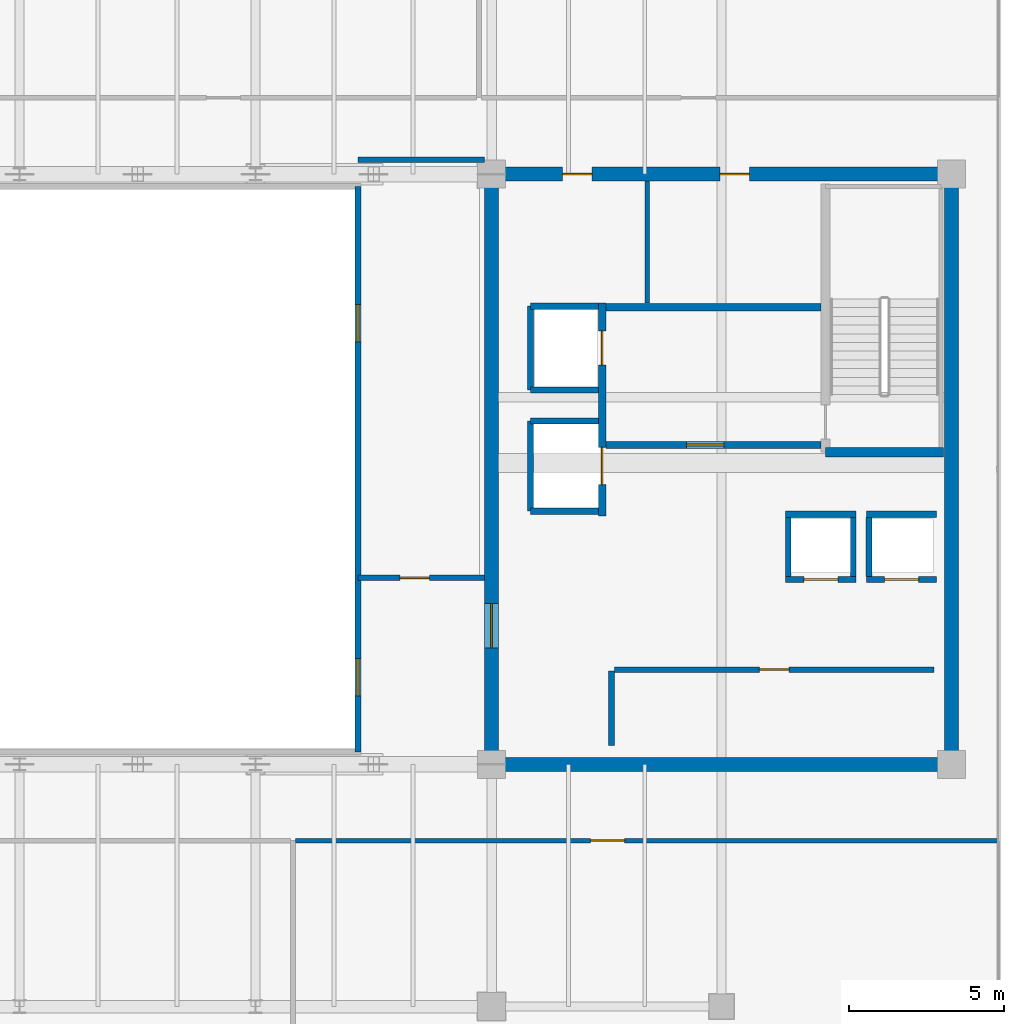
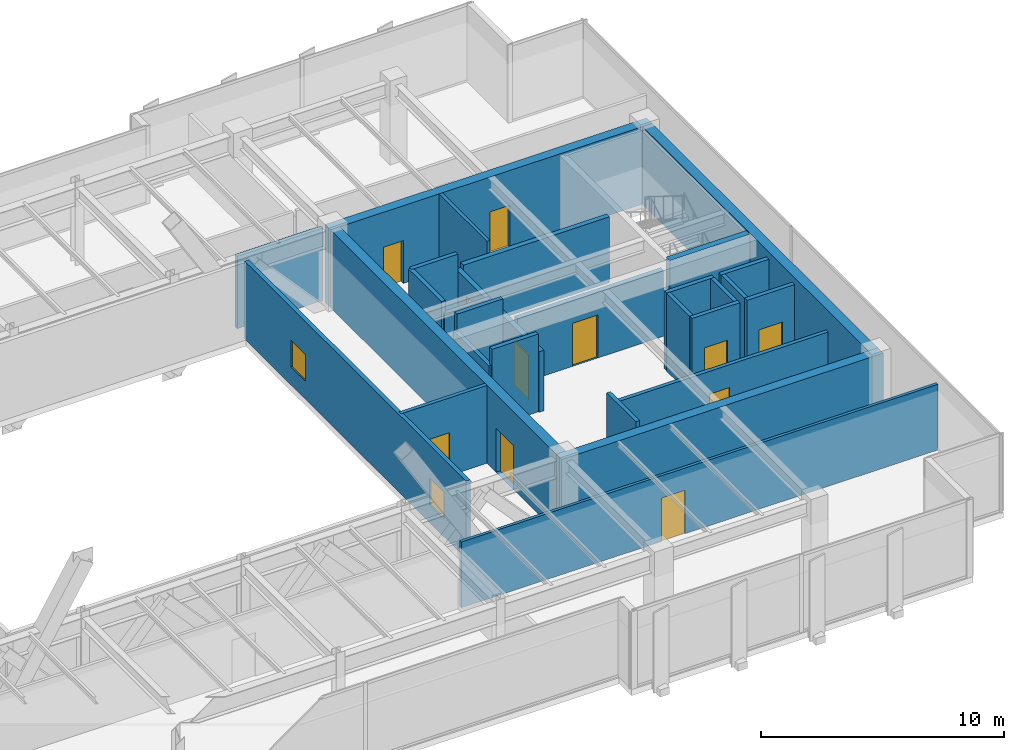
# One storey, part 27 of 32: 28 walls, 11 doors, 2 windows, 13 openings.
"""IFC4 building model written with IfcOpenShell, lengths in metres."""

from ifc_helpers import new_model, si_unit, direction, frame, frame_2d, origin, place, context, subcontext, project, spatial, rectangle, extrude, source, transform, mapped, material, layer, layer_set, type_object, type_shapes, element, fill, save


model = new_model("IFC4")

# Units and contexts
model_context = context("Model", 3, precision=1e-05, world=origin(), true_north=direction((0.0, 1.0)))
body_context = subcontext(model_context, "Body", "Model", "MODEL_VIEW")
ifc_project = project(units=[si_unit("LENGTHUNIT", "METRE"), si_unit("AREAUNIT", "SQUARE_METRE"), si_unit("VOLUMEUNIT", "CUBIC_METRE"), si_unit("PLANEANGLEUNIT", "RADIAN"), si_unit("MASSUNIT", "GRAM", prefix="KILO")], contexts=[model_context])

# Site, building, storey
site_placement = place(None, origin())
site = spatial("IfcSite", under=ifc_project, at=site_placement, CompositionType="ELEMENT")
building_placement = place(site_placement, origin())
building = spatial("IfcBuilding", under=site, at=building_placement, Name="Haelvirn Gate Laboratories", CompositionType="ELEMENT")
storey_placement = place(building_placement, frame((0.0, 0.0, 306.0)))
storey = spatial("IfcBuildingStorey", under=building, at=storey_placement, Name="L73", CompositionType="ELEMENT", Elevation=306.0)

# Wall
ifc_material_1 = material(Name="Fire-rated acoustic gypsum board partition", Category="gypsum")
ifc_layer_1 = layer(ifc_material_1, 0.175048828125, Name="IW-ACOUST-180")
ifc_layer_set_1 = layer_set([ifc_layer_1], Name="Fire-rated acoustic gypsum board partition")
wall_type_1 = type_object("IfcWallType", Name="IW-ACOUST-180", PredefinedType="PARTITIONING", material=ifc_layer_set_1)
wall_1_placement = place(storey_placement, frame((48.300048828125, 34.260009765625, 0.0), z_axis=(0.0, 0.0, 1.0), x_axis=(1.0, 0.0, 0.0)))
element("IfcWall", 1, at=wall_1_placement, inside=storey, type_object=wall_type_1, Name="L73 Interior Wall IW-L73-EPOD-N", PredefinedType="PARTITIONING", context=body_context, shape_type="SweptSolid", body=[
    extrude(rectangle(XDim=4.074951171875, YDim=0.175048828125, at=frame_2d((2.03759765625, 0.0))), origin(), (0.0, 0.0, 1.0), 3.635009765625),
])

# Wall, opening, door
wall_2_placement = place(storey_placement, frame((48.300048828125, 20.800048828125, 0.0), z_axis=(0.0, 0.0, 1.0), x_axis=(1.0, 0.0, 0.0)))
wall_2 = element("IfcWall", 2, at=wall_2_placement, inside=storey, type_object=wall_type_1, Name="L73 Interior Wall IW-L73-EPOD-S", PredefinedType="PARTITIONING", context=body_context, shape_type="SweptSolid", body=[
    extrude(rectangle(XDim=4.074951171875, YDim=0.175048828125, at=frame_2d((2.03759765625, 0.0))), origin(), (0.0, 0.0, 1.0), 3.89990234375),
])
opening_1_placement = place(wall_2_placement, frame((1.35009765625, 0.0, 0.0)))
opening_1 = element("IfcOpeningElement", 3, at=opening_1_placement, cuts=wall_2, Name="Opening FD4", PredefinedType="OPENING", context=body_context, shape_type="SweptSolid", body=[
    extrude(rectangle(XDim=0.949951171875, YDim=2.14990234375, at=frame_2d((0.47509765625, 1.074951171875))), frame((0.0, 0.09765625, 0.0), z_axis=(0.0, -1.0, 0.0), x_axis=(1.0, 0.0, 0.0)), (0.0, 0.0, 1.0), 0.195068359375),
])
ifc_material_2 = material(Name="Fire-rated steel SM355 core service door", Category="steel")
door_type_1 = type_object("IfcDoorType", Name="DR-FD-950", OperationType="NOTDEFINED", PredefinedType="DOOR", material=ifc_material_2)
shared_shape_1 = source(origin(), body_context, "Body", "SweptSolid", [
    extrude(rectangle(XDim=0.949951171875, YDim=2.14990234375, at=frame_2d((0.47509765625, 1.074951171875))), frame((0.0, 0.02490234375, 0.0), z_axis=(0.0, -1.0, 0.0), x_axis=(1.0, 0.0, 0.0)), (0.0, 0.0, 1.0), 0.050048828125),
])
type_shapes(door_type_1, [shared_shape_1])
door_1_placement = place(opening_1_placement, origin())
door_1 = element("IfcDoor", 4, at=door_1_placement, inside=storey, type_object=door_type_1, Name="L73 High-Zone Collaboration Suite Door", OperationType="SINGLE_SWING_LEFT", OverallHeight=2.14990234375, OverallWidth=0.949951171875, PredefinedType="DOOR", context=body_context, shape_type="MappedRepresentation", body=[
    mapped(shared_shape_1, transform((0.0, 0.0, 0.0), scale=1.0)),
])
fill(opening_1, door_1)

# Wall, openings, windows
ifc_material_3 = material(Name="Tempered fire-rated borosilicate glass & anodised aluminium", Category="aluminium")
ifc_layer_2 = layer(ifc_material_3, 0.195068359375, Name="IW-GLAZ-200")
ifc_layer_set_2 = layer_set([ifc_layer_2], Name="Tempered fire-rated borosilicate glass & anodised aluminium")
wall_type_2 = type_object("IfcWallType", Name="IW-GLAZ-200", PredefinedType="SOLIDWALL", material=ifc_layer_set_2)
wall_3_placement = place(storey_placement, frame((48.300048828125, 15.199951171875, 0.0), z_axis=(0.0, 0.0, 1.0), x_axis=(0.0, 1.0, 0.0)))
wall_3 = element("IfcWall", 5, at=wall_3_placement, inside=storey, type_object=wall_type_2, Name="L73 Interior Wall IW-L73-ATRIUM-E", PredefinedType="SOLIDWALL", context=body_context, shape_type="SweptSolid", body=[
    extrude(rectangle(XDim=18.199951171875, YDim=0.195068359375, at=frame_2d((9.10009765625, 0.0))), origin(), (0.0, 0.0, 1.0), 3.89990234375),
])
opening_2_placement = place(wall_3_placement, frame((1.800048828125, 0.0, 0.89990234375)))
opening_2 = element("IfcOpeningElement", 6, at=opening_2_placement, cuts=wall_3, Name="Opening W6", PredefinedType="OPENING", context=body_context, shape_type="SweptSolid", body=[
    extrude(rectangle(XDim=1.199951171875, YDim=1.35009765625, at=frame_2d((0.60009765625, 0.675048828125))), frame((0.0, 0.107421875, 0.0), z_axis=(0.0, -1.0, 0.0), x_axis=(1.0, 0.0, 0.0)), (0.0, 0.0, 1.0), 0.215087890625),
])
opening_3_placement = place(wall_3_placement, frame((13.199951171875, 0.0, 0.89990234375)))
opening_3 = element("IfcOpeningElement", 7, at=opening_3_placement, cuts=wall_3, Name="Opening W6", PredefinedType="OPENING", context=body_context, shape_type="SweptSolid", body=[
    extrude(rectangle(XDim=1.199951171875, YDim=1.35009765625, at=frame_2d((0.60009765625, 0.675048828125))), frame((0.0, 0.107421875, 0.0), z_axis=(0.0, -1.0, 0.0), x_axis=(1.0, 0.0, 0.0)), (0.0, 0.0, 1.0), 0.215087890625),
])
ifc_material_4 = material(Name="Fire-rated EI 120 borosilicate atrium vision glazing", Category="glass")
window_type = type_object("IfcWindowType", Name="WN-ATR-1200", PartitioningType="SINGLE_PANEL", PredefinedType="WINDOW", material=ifc_material_4)
shared_shape_2 = source(origin(), body_context, "Body", "SweptSolid", [
    extrude(rectangle(XDim=1.199951171875, YDim=1.35009765625, at=frame_2d((0.60009765625, 0.675048828125))), frame((0.0, 0.030029296875, 0.0), z_axis=(0.0, -1.0, 0.0), x_axis=(1.0, 0.0, 0.0)), (0.0, 0.0, 1.0), 0.06005859375),
])
type_shapes(window_type, [shared_shape_2])
window_1_placement = place(opening_2_placement, origin())
window_1 = element("IfcWindow", 8, at=window_1_placement, inside=storey, type_object=window_type, Name="L73 Atrium Observation Window 1", OverallHeight=1.35009765625, OverallWidth=1.199951171875, PartitioningType="SINGLE_PANEL", PredefinedType="WINDOW", context=body_context, shape_type="MappedRepresentation", body=[
    mapped(shared_shape_2, transform((0.0, 0.0, 0.0), scale=1.0)),
])
fill(opening_2, window_1)
window_2_placement = place(opening_3_placement, origin())
window_2 = element("IfcWindow", 9, at=window_2_placement, inside=storey, type_object=window_type, Name="L73 Atrium Observation Window 2", OverallHeight=1.35009765625, OverallWidth=1.199951171875, PartitioningType="SINGLE_PANEL", PredefinedType="WINDOW", context=body_context, shape_type="MappedRepresentation", body=[
    mapped(shared_shape_2, transform((0.0, 0.0, 0.0), scale=1.0)),
])
fill(opening_3, window_2)

# Wall, opening, door
ifc_material_5 = material(Name="Acoustic mineral-wool gypsum board partition", Category="gypsum")
ifc_layer_3 = layer(ifc_material_5, 0.139892578125, Name="IW-PART-140")
ifc_layer_set_3 = layer_set([ifc_layer_3], Name="Acoustic mineral-wool gypsum board partition")
wall_type_3 = type_object("IfcWallType", Name="IW-PART-140", PredefinedType="PARTITIONING", material=ifc_layer_set_3)
wall_4_placement = place(storey_placement, frame((46.280029296875, 12.340087890625, 0.0), z_axis=(0.0, 0.0, 1.0), x_axis=(1.0, 0.0, 0.0)))
wall_4 = element("IfcWall", 10, at=wall_4_placement, inside=storey, type_object=wall_type_3, Name="L73 Interior Wall IW-L73-SCORR-03", PredefinedType="PARTITIONING", context=body_context, shape_type="SweptSolid", body=[
    extrude(rectangle(XDim=22.60986328125, YDim=0.139892578125, at=frame_2d((11.304931640625, 0.0))), origin(), (0.0, 0.0, 1.0), 3.297119140625),
])
opening_4_placement = place(wall_4_placement, frame((9.50634765625, 0.0, 0.0)))
opening_4 = element("IfcOpeningElement", 11, at=opening_4_placement, cuts=wall_4, Name="Opening D1", PredefinedType="OPENING", context=body_context, shape_type="SweptSolid", body=[
    extrude(rectangle(XDim=1.10009765625, YDim=2.179931640625, at=frame_2d((0.550048828125, 1.08984375))), frame((0.0, 0.080078125, 0.0), z_axis=(0.0, -1.0, 0.0), x_axis=(1.0, 0.0, 0.0)), (0.0, 0.0, 1.0), 0.159912109375),
])
ifc_material_6 = material(Name="Vision-panel acoustic solid-core timber lab door", Category="wood")
door_type_2 = type_object("IfcDoorType", Name="DR-LAB-1100", OperationType="NOTDEFINED", PredefinedType="DOOR", material=ifc_material_6)
shared_shape_3 = source(origin(), body_context, "Body", "SweptSolid", [
    extrude(rectangle(XDim=1.10009765625, YDim=2.179931640625, at=frame_2d((0.550048828125, 1.08984375))), frame((0.0, 0.02490234375, 0.0), z_axis=(0.0, -1.0, 0.0), x_axis=(1.0, 0.0, 0.0)), (0.0, 0.0, 1.0), 0.050048828125),
])
type_shapes(door_type_2, [shared_shape_3])
door_2_placement = place(opening_4_placement, origin())
door_2 = element("IfcDoor", 12, at=door_2_placement, inside=storey, type_object=door_type_2, Name="L73 Protocol Briefing Training Room Door S3", OperationType="SINGLE_SWING_RIGHT", OverallHeight=2.179931640625, OverallWidth=1.10009765625, PredefinedType="DOOR", context=body_context, shape_type="MappedRepresentation", body=[
    mapped(shared_shape_3, transform((0.0, 0.0, 0.0), scale=1.0)),
])
fill(opening_4, door_2)

# Walls
ifc_material_7 = material(Name="Cement-board restroom plumbing chase wall", Category="gypsum")
ifc_layer_4 = layer(ifc_material_7, 0.155029296875, Name="IW-PLUMB-160")
ifc_layer_set_4 = layer_set([ifc_layer_4], Name="Cement-board restroom plumbing chase wall")
wall_type_4 = type_object("IfcWallType", Name="IW-PLUMB-160", PredefinedType="PLUMBINGWALL", material=ifc_layer_set_4)
wall_5_placement = place(storey_placement, frame((57.610107421875, 29.64990234375, 0.0), z_axis=(0.0, 0.0, 1.0), x_axis=(0.0, 1.0, 0.0)))
element("IfcWall", 13, at=wall_5_placement, inside=storey, type_object=wall_type_4, Name="L73 Interior Wall IW-L73-E-CDIV-1", PredefinedType="PLUMBINGWALL", context=body_context, shape_type="SweptSolid", body=[
    extrude(rectangle(XDim=3.93017578125, YDim=0.155029296875, at=frame_2d((1.965087890625, 0.0))), origin(), (0.0, 0.0, 1.0), 3.89990234375),
])
ifc_material_8 = material(Name="Concrete C40/50", Category="concrete")
ifc_layer_5 = layer(ifc_material_8, 0.179931640625, Name="IW-SHAFT-180")
ifc_layer_set_5 = layer_set([ifc_layer_5], Name="Concrete C40/50")
wall_type_5 = type_object("IfcWallType", Name="IW-SHAFT-180", PredefinedType="SOLIDWALL", material=ifc_layer_set_5)
for number, where, z_axis, x_axis, name in (
    (14, (64.75, 20.85009765625, 0.0), (0.0, 0.0, 1.0), (0.0, 1.0, 0.0), "L73 Interior Wall IW-L73-PL11-SD"),
    (15, (62.14990234375, 20.85009765625, 0.0), (0.0, 0.0, 1.0), (0.0, 1.0, 0.0), "L73 Interior Wall IW-L73-PL12-SD"),
    (16, (64.25, 20.85009765625, 0.0), (0.0, 0.0, 1.0), (0.0, 1.0, 0.0), "L73 Interior Wall IW-L73-PL12-SDE"),
):
    element("IfcWall", number, at=place(storey_placement, frame(where, z_axis=z_axis, x_axis=x_axis)), inside=storey, type_object=wall_type_5, Name=name, PredefinedType="SOLIDWALL", context=body_context, shape_type="SweptSolid", body=[
        extrude(rectangle(XDim=1.89990234375, YDim=0.179931640625, at=frame_2d((0.949951171875, 0.0))), origin(), (0.0, 0.0, 1.0), 3.89990234375),
    ])

# Wall, opening, door
wall_6_placement = place(storey_placement, frame((56.550048828125, 17.85009765625, 0.0), z_axis=(0.0, 0.0, 1.0), x_axis=(1.0, 0.0, 0.0)))
wall_6 = element("IfcWall", 17, at=wall_6_placement, inside=storey, type_object=wall_type_5, Name="L73 Interior Wall IW-L73-E-FREED-HN-1", PredefinedType="SOLIDWALL", context=body_context, shape_type="SweptSolid", body=[
    extrude(rectangle(XDim=10.300048828125, YDim=0.179931640625, at=frame_2d((5.14990234375, 0.0))), origin(), (0.0, 0.0, 1.0), 3.297119140625),
])
opening_5_placement = place(wall_6_placement, frame((4.675048828125, 0.0, 0.0)))
opening_5 = element("IfcOpeningElement", 18, at=opening_5_placement, cuts=wall_6, Name="Opening FD4", PredefinedType="OPENING", context=body_context, shape_type="SweptSolid", body=[
    extrude(rectangle(XDim=0.949951171875, YDim=2.14990234375, at=frame_2d((0.47509765625, 1.074951171875))), frame((0.0, 0.10009765625, 0.0), z_axis=(0.0, -1.0, 0.0), x_axis=(1.0, 0.0, 0.0)), (0.0, 0.0, 1.0), 0.199951171875),
])
door_3_placement = place(opening_5_placement, origin())
door_3 = element("IfcDoor", 19, at=door_3_placement, inside=storey, type_object=door_type_1, Name="L73 High-Zone Cryogenic Biobank Vault Door", OperationType="SINGLE_SWING_LEFT", OverallHeight=2.14990234375, OverallWidth=0.949951171875, PredefinedType="DOOR", context=body_context, shape_type="MappedRepresentation", body=[
    mapped(shared_shape_1, transform((0.0, 0.0, 0.0), scale=1.0)),
])
fill(opening_5, door_3)

# Wall
wall_7_placement = place(storey_placement, frame((56.4599609375, 15.39990234375, 0.0), z_axis=(0.0, 0.0, 1.0), x_axis=(0.0, 1.0, 0.0)))
element("IfcWall", 20, at=wall_7_placement, inside=storey, type_object=wall_type_5, Name="L73 Interior Wall IW-L73-E-FREED-HE-1", PredefinedType="SOLIDWALL", context=body_context, shape_type="SweptSolid", body=[
    extrude(rectangle(XDim=2.400146484375, YDim=0.179931640625, at=frame_2d((1.2001953125, 0.0))), origin(), (0.0, 0.0, 1.0), 3.89990234375),
])

# Wall, opening, door
ifc_layer_6 = layer(ifc_material_8, 0.199951171875, Name="IW-SHAFT-200")
ifc_layer_set_6 = layer_set([ifc_layer_6], Name="Concrete C40/50")
wall_type_6 = type_object("IfcWallType", Name="IW-SHAFT-200", PredefinedType="SOLIDWALL", material=ifc_layer_set_6)
wall_8_placement = place(storey_placement, frame((64.669921875, 20.75, 0.0), z_axis=(0.0, 0.0, 1.0), x_axis=(1.0, 0.0, 0.0)))
wall_8 = element("IfcWall", 21, at=wall_8_placement, inside=storey, type_object=wall_type_6, Name="L73 Interior Wall IW-L73-PL11-FR", PredefinedType="SOLIDWALL", context=body_context, shape_type="SweptSolid", body=[
    extrude(rectangle(XDim=2.260009765625, YDim=0.199951171875, at=frame_2d((1.1298828125, 0.0))), origin(), (0.0, 0.0, 1.0), 3.89990234375),
])
opening_6_placement = place(wall_8_placement, frame((0.580078125, 0.0, 0.0)))
opening_6 = element("IfcOpeningElement", 22, at=opening_6_placement, cuts=wall_8, Name="Opening LD2", PredefinedType="OPENING", context=body_context, shape_type="SweptSolid", body=[
    extrude(rectangle(XDim=1.10009765625, YDim=2.219970703125, at=frame_2d((0.550048828125, 1.10986328125))), frame((0.0, 0.10986328125, 0.0), z_axis=(0.0, -1.0, 0.0), x_axis=(1.0, 0.0, 0.0)), (0.0, 0.0, 1.0), 0.219970703125),
])
ifc_material_9 = material(Name="Bronze stainless 316L sliding lift landing door")
door_type_3 = type_object("IfcDoorType", Name="DR-LD-1100", OperationType="NOTDEFINED", PredefinedType="USERDEFINED", material=ifc_material_9)
shared_shape_4 = source(origin(), body_context, "Body", "SweptSolid", [
    extrude(rectangle(XDim=1.10009765625, YDim=2.219970703125, at=frame_2d((0.550048828125, 1.10986328125))), frame((0.0, 0.02490234375, 0.0), z_axis=(0.0, -1.0, 0.0), x_axis=(1.0, 0.0, 0.0)), (0.0, 0.0, 1.0), 0.050048828125),
])
type_shapes(door_type_3, [shared_shape_4])
door_4_placement = place(opening_6_placement, origin())
door_4 = element("IfcDoor", 23, at=door_4_placement, inside=storey, type_object=door_type_3, Name="L73 Passenger Lift PL11 Landing Door", ObjectType="LANDING_DOOR", OperationType="SLIDING_TO_LEFT", OverallHeight=2.219970703125, OverallWidth=1.10009765625, PredefinedType="USERDEFINED", context=body_context, shape_type="MappedRepresentation", body=[
    mapped(shared_shape_4, transform((0.0, 0.0, 0.0), scale=1.0)),
])
fill(opening_6, door_4)

# Wall
wall_9_placement = place(storey_placement, frame((64.669921875, 22.85009765625, 0.0), z_axis=(0.0, 0.0, 1.0), x_axis=(1.0, 0.0, 0.0)))
element("IfcWall", 24, at=wall_9_placement, inside=storey, type_object=wall_type_6, Name="L73 Interior Wall IW-L73-PL11-BK", PredefinedType="SOLIDWALL", context=body_context, shape_type="SweptSolid", body=[
    extrude(rectangle(XDim=2.260009765625, YDim=0.199951171875, at=frame_2d((1.1298828125, 0.0))), origin(), (0.0, 0.0, 1.0), 3.89990234375),
])

# Wall, opening, door
wall_10_placement = place(storey_placement, frame((62.070068359375, 20.75, 0.0), z_axis=(0.0, 0.0, 1.0), x_axis=(1.0, 0.0, 0.0)))
wall_10 = element("IfcWall", 25, at=wall_10_placement, inside=storey, type_object=wall_type_6, Name="L73 Interior Wall IW-L73-PL12-FR", PredefinedType="SOLIDWALL", context=body_context, shape_type="SweptSolid", body=[
    extrude(rectangle(XDim=2.260009765625, YDim=0.199951171875, at=frame_2d((1.1298828125, 0.0))), origin(), (0.0, 0.0, 1.0), 3.89990234375),
])
opening_7_placement = place(wall_10_placement, frame((0.580078125, 0.0, 0.0)))
opening_7 = element("IfcOpeningElement", 26, at=opening_7_placement, cuts=wall_10, Name="Opening LD2", PredefinedType="OPENING", context=body_context, shape_type="SweptSolid", body=[
    extrude(rectangle(XDim=1.10009765625, YDim=2.219970703125, at=frame_2d((0.550048828125, 1.10986328125))), frame((0.0, 0.10986328125, 0.0), z_axis=(0.0, -1.0, 0.0), x_axis=(1.0, 0.0, 0.0)), (0.0, 0.0, 1.0), 0.219970703125),
])
door_5_placement = place(opening_7_placement, origin())
door_5 = element("IfcDoor", 27, at=door_5_placement, inside=storey, type_object=door_type_3, Name="L73 Passenger Lift PL12 Landing Door", ObjectType="LANDING_DOOR", OperationType="SLIDING_TO_RIGHT", OverallHeight=2.219970703125, OverallWidth=1.10009765625, PredefinedType="USERDEFINED", context=body_context, shape_type="MappedRepresentation", body=[
    mapped(shared_shape_4, transform((0.0, 0.0, 0.0), scale=1.0)),
])
fill(opening_7, door_5)

# Walls
wall_11_placement = place(storey_placement, frame((62.070068359375, 22.85009765625, 0.0), z_axis=(0.0, 0.0, 1.0), x_axis=(1.0, 0.0, 0.0)))
element("IfcWall", 28, at=wall_11_placement, inside=storey, type_object=wall_type_6, Name="L73 Interior Wall IW-L73-PL12-BK", PredefinedType="SOLIDWALL", context=body_context, shape_type="SweptSolid", body=[
    extrude(rectangle(XDim=2.260009765625, YDim=0.199951171875, at=frame_2d((1.1298828125, 0.0))), origin(), (0.0, 0.0, 1.0), 3.89990234375),
])
wall_12_placement = place(storey_placement, frame((53.85009765625, 26.85009765625, 0.0), z_axis=(0.0, 0.0, 1.0), x_axis=(0.0, 1.0, 0.0)))
element("IfcWall", 29, at=wall_12_placement, inside=storey, type_object=wall_type_6, Name="L73 Interior Wall IW-L73-FL2-BK", PredefinedType="SOLIDWALL", context=body_context, shape_type="SweptSolid", body=[
    extrude(rectangle(XDim=2.699951171875, YDim=0.199951171875, at=frame_2d((1.35009765625, 0.0))), origin(), (0.0, 0.0, 1.0), 3.89990234375),
])
wall_13_placement = place(storey_placement, frame((53.85009765625, 29.550048828125, 0.0), z_axis=(0.0, 0.0, 1.0), x_axis=(1.0, 0.0, 0.0)))
element("IfcWall", 30, at=wall_13_placement, inside=storey, type_object=wall_type_6, Name="L73 Interior Wall IW-L73-FL2-N", PredefinedType="SOLIDWALL", context=body_context, shape_type="SweptSolid", body=[
    extrude(rectangle(XDim=2.18994140625, YDim=0.199951171875, at=frame_2d((1.094970703125, 0.0))), origin(), (0.0, 0.0, 1.0), 3.89990234375),
])
wall_14_placement = place(storey_placement, frame((53.85009765625, 26.85009765625, 0.0), z_axis=(0.0, 0.0, 1.0), x_axis=(1.0, 0.0, 0.0)))
element("IfcWall", 31, at=wall_14_placement, inside=storey, type_object=wall_type_6, Name="L73 Interior Wall IW-L73-FL2-S", PredefinedType="SOLIDWALL", context=body_context, shape_type="SweptSolid", body=[
    extrude(rectangle(XDim=2.18994140625, YDim=0.199951171875, at=frame_2d((1.094970703125, 0.0))), origin(), (0.0, 0.0, 1.0), 3.297119140625),
])
wall_15_placement = place(storey_placement, frame((53.85009765625, 22.949951171875, 0.0), z_axis=(0.0, 0.0, 1.0), x_axis=(0.0, 1.0, 0.0)))
element("IfcWall", 32, at=wall_15_placement, inside=storey, type_object=wall_type_6, Name="L73 Interior Wall IW-L73-SL2-BK", PredefinedType="SOLIDWALL", context=body_context, shape_type="SweptSolid", body=[
    extrude(rectangle(XDim=2.900146484375, YDim=0.199951171875, at=frame_2d((1.4501953125, 0.0))), origin(), (0.0, 0.0, 1.0), 3.034912109375),
])
for number, where, z_axis, x_axis, name in (
    (33, (53.85009765625, 25.85009765625, 0.0), (0.0, 0.0, 1.0), (1.0, 0.0, 0.0), "L73 Interior Wall IW-L73-SL2-N"),
    (34, (53.85009765625, 22.949951171875, 0.0), (0.0, 0.0, 1.0), (1.0, 0.0, 0.0), "L73 Interior Wall IW-L73-SL2-S"),
):
    element("IfcWall", number, at=place(storey_placement, frame(where, z_axis=z_axis, x_axis=x_axis)), inside=storey, type_object=wall_type_6, Name=name, PredefinedType="SOLIDWALL", context=body_context, shape_type="SweptSolid", body=[
        extrude(rectangle(XDim=2.18994140625, YDim=0.199951171875, at=frame_2d((1.094970703125, 0.0))), origin(), (0.0, 0.0, 1.0), 3.89990234375),
    ])

# Wall, opening, door
ifc_layer_7 = layer(ifc_material_8, 0.239990234375, Name="IW-SHAFT-240")
ifc_layer_set_7 = layer_set([ifc_layer_7], Name="Concrete C40/50")
wall_type_7 = type_object("IfcWallType", Name="IW-SHAFT-240", PredefinedType="SOLIDWALL", material=ifc_layer_set_7)
wall_16_placement = place(storey_placement, frame((56.280029296875, 25.080078125, 0.0), z_axis=(0.0, 0.0, 1.0), x_axis=(1.0, 0.0, 0.0)))
wall_16 = element("IfcWall", 35, at=wall_16_placement, inside=storey, type_object=wall_type_7, Name="L73 Interior Wall IW-L73-E-FF-S", PredefinedType="SOLIDWALL", context=body_context, shape_type="SweptSolid", body=[
    extrude(rectangle(XDim=6.919921875, YDim=0.239990234375, at=frame_2d((3.4599609375, 0.0))), origin(), (0.0, 0.0, 1.0), 3.297119140625),
])
opening_8_placement = place(wall_16_placement, frame((2.60009765625, 0.0, 0.0)))
opening_8 = element("IfcOpeningElement", 36, at=opening_8_placement, cuts=wall_16, Name="Opening FD2", PredefinedType="OPENING", context=body_context, shape_type="SweptSolid", body=[
    extrude(rectangle(XDim=1.199951171875, YDim=2.159912109375, at=frame_2d((0.60009765625, 1.080078125))), frame((0.0, 0.1298828125, 0.0), z_axis=(0.0, -1.0, 0.0), x_axis=(1.0, 0.0, 0.0)), (0.0, 0.0, 1.0), 0.260009765625),
])
ifc_material_10 = material(Name="Fire-rated steel SM355 compartment door", Category="steel")
door_type_4 = type_object("IfcDoorType", Name="DR-FD-1200", OperationType="NOTDEFINED", PredefinedType="DOOR", material=ifc_material_10)
shared_shape_5 = source(origin(), body_context, "Body", "SweptSolid", [
    extrude(rectangle(XDim=1.199951171875, YDim=2.159912109375, at=frame_2d((0.60009765625, 1.080078125))), frame((0.0, 0.02490234375, 0.0), z_axis=(0.0, -1.0, 0.0), x_axis=(1.0, 0.0, 0.0)), (0.0, 0.0, 1.0), 0.050048828125),
])
type_shapes(door_type_4, [shared_shape_5])
door_6_placement = place(opening_8_placement, origin())
door_6 = element("IfcDoor", 37, at=door_6_placement, inside=storey, type_object=door_type_4, Name="L73 East Firefighting Lobby Door", OperationType="SINGLE_SWING_LEFT", OverallHeight=2.159912109375, OverallWidth=1.199951171875, PredefinedType="DOOR", context=body_context, shape_type="MappedRepresentation", body=[
    mapped(shared_shape_5, transform((0.0, 0.0, 0.0), scale=1.0)),
])
fill(opening_8, door_6)

# Wall
wall_17_placement = place(storey_placement, frame((56.280029296875, 29.52001953125, 0.0), z_axis=(0.0, 0.0, 1.0), x_axis=(1.0, 0.0, 0.0)))
element("IfcWall", 38, at=wall_17_placement, inside=storey, type_object=wall_type_7, Name="L73 Interior Wall IW-L73-E-FF-N", PredefinedType="SOLIDWALL", context=body_context, shape_type="SweptSolid", body=[
    extrude(rectangle(XDim=6.919921875, YDim=0.239990234375, at=frame_2d((3.4599609375, 0.0))), origin(), (0.0, 0.0, 1.0), 3.297119140625),
])

# Wall, openings, doors
wall_18_placement = place(storey_placement, frame((56.159912109375, 22.800048828125, 0.0), z_axis=(0.0, 0.0, 1.0), x_axis=(0.0, 1.0, 0.0)))
wall_18 = element("IfcWall", 39, at=wall_18_placement, inside=storey, type_object=wall_type_7, Name="L73 Interior Wall IW-L73-E-FF-E", PredefinedType="SOLIDWALL", context=body_context, shape_type="SweptSolid", body=[
    extrude(rectangle(XDim=6.849853515625, YDim=0.239990234375, at=frame_2d((3.4248046875, 0.0))), origin(), (0.0, 0.0, 1.0), 3.034912109375),
])
opening_9_placement = place(wall_18_placement, frame((4.85009765625, 0.0, 0.0)))
opening_9 = element("IfcOpeningElement", 40, at=opening_9_placement, cuts=wall_18, Name="Opening LD2", PredefinedType="OPENING", context=body_context, shape_type="SweptSolid", body=[
    extrude(rectangle(XDim=1.10009765625, YDim=2.219970703125, at=frame_2d((0.550048828125, 1.10986328125))), frame((0.0, 0.1298828125, 0.0), z_axis=(0.0, -1.0, 0.0), x_axis=(1.0, 0.0, 0.0)), (0.0, 0.0, 1.0), 0.260009765625),
])
opening_10_placement = place(wall_18_placement, frame((1.0, 0.0, 0.0)))
opening_10 = element("IfcOpeningElement", 41, at=opening_10_placement, cuts=wall_18, Name="Opening LD1", PredefinedType="OPENING", context=body_context, shape_type="SweptSolid", body=[
    extrude(rectangle(XDim=1.199951171875, YDim=2.219970703125, at=frame_2d((0.60009765625, 1.10986328125))), frame((0.0, 0.1298828125, 0.0), z_axis=(0.0, -1.0, 0.0), x_axis=(1.0, 0.0, 0.0)), (0.0, 0.0, 1.0), 0.260009765625),
])
door_7_placement = place(opening_9_placement, origin())
door_7 = element("IfcDoor", 42, at=door_7_placement, inside=storey, type_object=door_type_3, Name="L73 Firefighting Lift FL2 Landing Door", ObjectType="LANDING_DOOR", OperationType="SLIDING_TO_RIGHT", OverallHeight=2.219970703125, OverallWidth=1.10009765625, PredefinedType="USERDEFINED", context=body_context, shape_type="MappedRepresentation", body=[
    mapped(shared_shape_4, transform((0.0, 0.0, 0.0), scale=1.0)),
])
fill(opening_9, door_7)
ifc_material_11 = material(Name="Stainless steel 316L sliding goods landing door", Category="steel")
door_type_5 = type_object("IfcDoorType", Name="DR-LD-1200", OperationType="NOTDEFINED", PredefinedType="USERDEFINED", material=ifc_material_11)
shared_shape_6 = source(origin(), body_context, "Body", "SweptSolid", [
    extrude(rectangle(XDim=1.199951171875, YDim=2.219970703125, at=frame_2d((0.60009765625, 1.10986328125))), frame((0.0, 0.02490234375, 0.0), z_axis=(0.0, -1.0, 0.0), x_axis=(1.0, 0.0, 0.0)), (0.0, 0.0, 1.0), 0.050048828125),
])
type_shapes(door_type_5, [shared_shape_6])
door_8_placement = place(opening_10_placement, origin())
door_8 = element("IfcDoor", 43, at=door_8_placement, inside=storey, type_object=door_type_5, Name="L73 Service Lift SL2 Landing Door", ObjectType="LANDING_DOOR", OperationType="SLIDING_TO_LEFT", OverallHeight=2.219970703125, OverallWidth=1.199951171875, PredefinedType="USERDEFINED", context=body_context, shape_type="MappedRepresentation", body=[
    mapped(shared_shape_6, transform((0.0, 0.0, 0.0), scale=1.0)),
])
fill(opening_10, door_8)

# Wall
ifc_material_12 = material(Name="Concrete C50/60", Category="concrete")
ifc_layer_8 = layer(ifc_material_12, 0.449951171875, Name="SW-CORE-450")
ifc_layer_set_8 = layer_set([ifc_layer_8], Name="Concrete C50/60")
wall_type_8 = type_object("IfcWallType", Name="SW-CORE-450", PredefinedType="SHEAR", material=ifc_layer_set_8)
wall_19_placement = place(storey_placement, frame((52.375, 14.800048828125, 0.0), z_axis=(0.0, 0.0, 1.0), x_axis=(1.0, 0.0, 0.0)))
element("IfcWall", 44, at=wall_19_placement, inside=storey, type_object=wall_type_8, Name="L73 E Core Shear Wall S", PredefinedType="SHEAR", context=body_context, shape_type="SweptSolid", body=[
    extrude(rectangle(XDim=15.25, YDim=0.449951171875, at=frame_2d((7.625, 0.0))), origin(), (0.0, 0.0, 1.0), 3.89990234375),
])

# Wall, openings, doors
wall_20_placement = place(storey_placement, frame((52.375, 33.800048828125, 0.0), z_axis=(0.0, 0.0, 1.0), x_axis=(1.0, 0.0, 0.0)))
wall_20 = element("IfcWall", 45, at=wall_20_placement, inside=storey, type_object=wall_type_8, Name="L73 E Core Shear Wall N", PredefinedType="SHEAR", context=body_context, shape_type="SweptSolid", body=[
    extrude(rectangle(XDim=15.25, YDim=0.449951171875, at=frame_2d((7.625, 0.0))), origin(), (0.0, 0.0, 1.0), 3.89990234375),
])
opening_11_placement = place(wall_20_placement, frame((7.574951171875, 0.0, 0.0)))
opening_11 = element("IfcOpeningElement", 46, at=opening_11_placement, cuts=wall_20, Name="Opening FD4", PredefinedType="OPENING", context=body_context, shape_type="SweptSolid", body=[
    extrude(rectangle(XDim=0.949951171875, YDim=2.14990234375, at=frame_2d((0.47509765625, 1.074951171875))), frame((0.0, 0.23486328125, 0.0), z_axis=(0.0, -1.0, 0.0), x_axis=(1.0, 0.0, 0.0)), (0.0, 0.0, 1.0), 0.469970703125),
])
opening_12_placement = place(wall_20_placement, frame((2.510009765625, 0.0, 0.0)))
opening_12 = element("IfcOpeningElement", 47, at=opening_12_placement, cuts=wall_20, Name="Opening FD4", PredefinedType="OPENING", context=body_context, shape_type="SweptSolid", body=[
    extrude(rectangle(XDim=0.949951171875, YDim=2.14990234375, at=frame_2d((0.47509765625, 1.074951171875))), frame((0.0, 0.23486328125, 0.0), z_axis=(0.0, -1.0, 0.0), x_axis=(1.0, 0.0, 0.0)), (0.0, 0.0, 1.0), 0.469970703125),
])
door_9_placement = place(opening_11_placement, origin())
door_9 = element("IfcDoor", 48, at=door_9_placement, inside=storey, type_object=door_type_1, Name="L73 All-Gender Multi-Stall Restroom Fire Door", OperationType="SINGLE_SWING_RIGHT", OverallHeight=2.14990234375, OverallWidth=0.949951171875, PredefinedType="DOOR", context=body_context, shape_type="MappedRepresentation", body=[
    mapped(shared_shape_1, transform((0.0, 0.0, 0.0), scale=1.0)),
])
fill(opening_11, door_9)
door_10_placement = place(opening_12_placement, origin())
door_10 = element("IfcDoor", 49, at=door_10_placement, inside=storey, type_object=door_type_1, Name="L73 Accessible Restroom Fire Door", OperationType="SINGLE_SWING_LEFT", OverallHeight=2.14990234375, OverallWidth=0.949951171875, PredefinedType="DOOR", context=body_context, shape_type="MappedRepresentation", body=[
    mapped(shared_shape_1, transform((0.0, 0.0, 0.0), scale=1.0)),
])
fill(opening_12, door_10)

# Wall, opening, door
wall_21_placement = place(storey_placement, frame((52.60009765625, 15.02490234375, 0.0), z_axis=(0.0, 0.0, 1.0), x_axis=(0.0, 1.0, 0.0)))
wall_21 = element("IfcWall", 50, at=wall_21_placement, inside=storey, type_object=wall_type_8, Name="L73 E Core Shear Wall W", PredefinedType="SHEAR", context=body_context, shape_type="SweptSolid", body=[
    extrude(rectangle(XDim=18.550048828125, YDim=0.449951171875, at=frame_2d((9.27490234375, 0.0))), origin(), (0.0, 0.0, 1.0), 3.89990234375),
])
opening_13_placement = place(wall_21_placement, frame((3.52490234375, 0.0, 0.0)))
opening_13 = element("IfcOpeningElement", 51, at=opening_13_placement, cuts=wall_21, Name="Opening FD1", PredefinedType="OPENING", context=body_context, shape_type="SweptSolid", body=[
    extrude(rectangle(XDim=1.419921875, YDim=2.199951171875, at=frame_2d((0.7099609375, 1.10009765625))), frame((0.0, 0.23486328125, 0.0), z_axis=(0.0, -1.0, 0.0), x_axis=(1.0, 0.0, 0.0)), (0.0, 0.0, 1.0), 0.469970703125),
])
ifc_material_13 = material(Name="Fire-rated double steel SM355 lobby door", Category="steel")
door_type_6 = type_object("IfcDoorType", Name="DR-FD-1400", OperationType="NOTDEFINED", PredefinedType="DOOR", material=ifc_material_13)
shared_shape_7 = source(origin(), body_context, "Body", "SweptSolid", [
    extrude(rectangle(XDim=1.419921875, YDim=2.199951171875, at=frame_2d((0.7099609375, 1.10009765625))), frame((0.0, 0.02490234375, 0.0), z_axis=(0.0, -1.0, 0.0), x_axis=(1.0, 0.0, 0.0)), (0.0, 0.0, 1.0), 0.050048828125),
])
type_shapes(door_type_6, [shared_shape_7])
door_11_placement = place(opening_13_placement, origin())
door_11 = element("IfcDoor", 52, at=door_11_placement, inside=storey, type_object=door_type_6, Name="L73 East Core Lift Lobby Fire Door", OperationType="DOUBLE_DOOR_SINGLE_SWING", OverallHeight=2.199951171875, OverallWidth=1.419921875, PredefinedType="DOOR", context=body_context, shape_type="MappedRepresentation", body=[
    mapped(shared_shape_7, transform((0.0, 0.0, 0.0), scale=1.0)),
])
fill(opening_13, door_11)

# Walls
wall_22_placement = place(storey_placement, frame((67.39990234375, 15.02490234375, 0.0), z_axis=(0.0, 0.0, 1.0), x_axis=(0.0, 1.0, 0.0)))
element("IfcWall", 53, at=wall_22_placement, inside=storey, type_object=wall_type_8, Name="L73 E Core Shear Wall E", PredefinedType="SHEAR", context=body_context, shape_type="SweptSolid", body=[
    extrude(rectangle(XDim=18.550048828125, YDim=0.449951171875, at=frame_2d((9.27490234375, 0.0))), origin(), (0.0, 0.0, 1.0), 3.89990234375),
])
ifc_layer_9 = layer(ifc_material_12, 0.300048828125, Name="SW-STAIR-300")
ifc_layer_set_9 = layer_set([ifc_layer_9], Name="Concrete C50/60")
wall_type_9 = type_object("IfcWallType", Name="SW-STAIR-300", PredefinedType="SHEAR", material=ifc_layer_set_9)
wall_23_placement = place(storey_placement, frame((63.35009765625, 24.85009765625, 0.0), z_axis=(0.0, 0.0, 1.0), x_axis=(1.0, 0.0, 0.0)))
element("IfcWall", 54, at=wall_23_placement, inside=storey, type_object=wall_type_9, Name="L73 E Core Stair Shaft Structural Wall S", PredefinedType="SHEAR", context=body_context, shape_type="SweptSolid", body=[
    extrude(rectangle(XDim=3.7998046875, YDim=0.300048828125, at=frame_2d((1.89990234375, 0.0))), origin(), (0.0, 0.0, 1.0), 3.89990234375),
])

save(model, "model.ifc")
